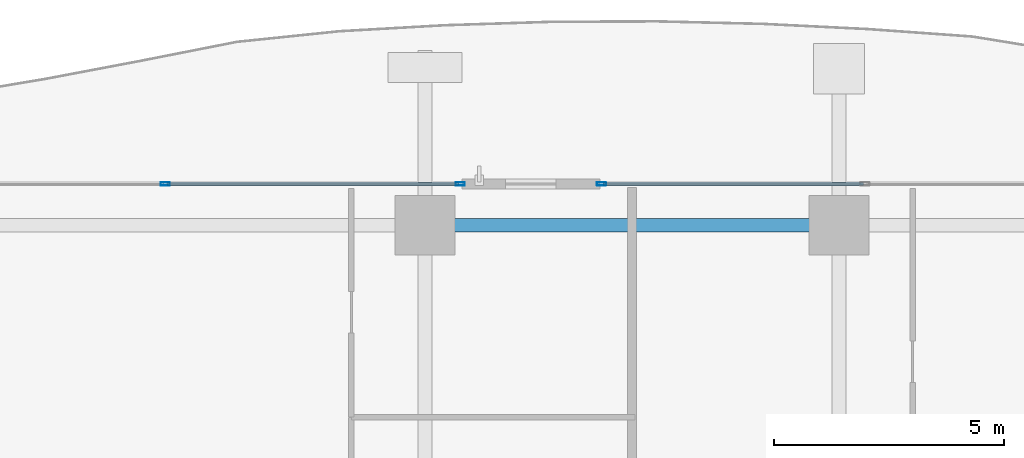
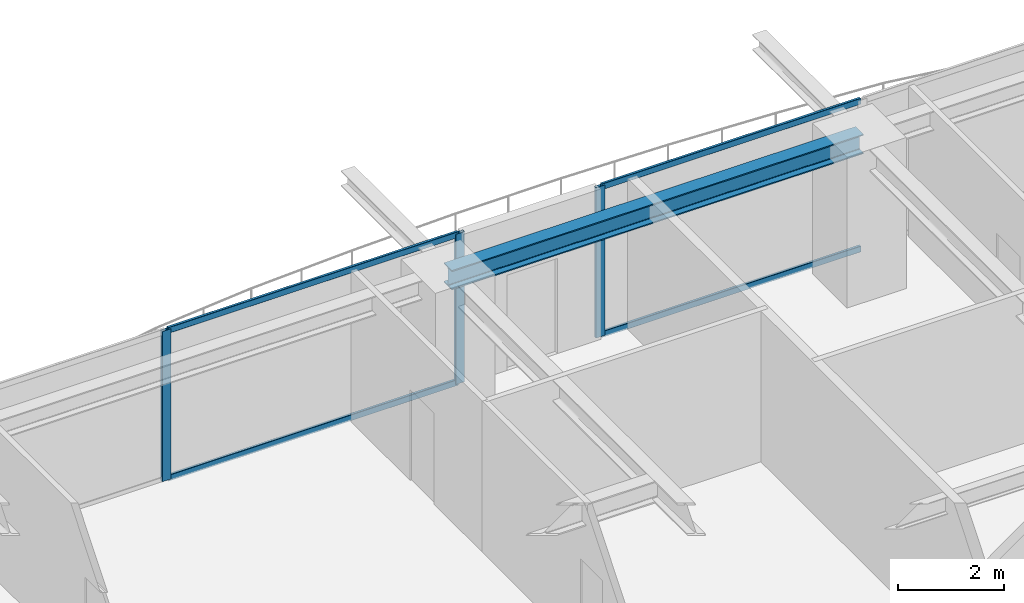
# One storey, part 20 of 39: 7 members, 1 beam, 2 elements without a shape of their own.
"""IFC4 building model written with IfcOpenShell, lengths in metres."""

from ifc_helpers import new_model, si_unit, direction, frame, origin, origin_2d, place, context, subcontext, project, spatial, hollow_rectangle, i_section, extrude, source, transform, mapped, material, layer, layer_set, material_profile, profile_set, type_object, element, aggregate, save


model = new_model("IFC4")

# Units and contexts
model_context = context("Model", 3, precision=1e-05, world=origin(), true_north=direction((0.0, 1.0)))
body_context = subcontext(model_context, "Body", "Model", "MODEL_VIEW")
ifc_project = project(units=[si_unit("LENGTHUNIT", "METRE"), si_unit("AREAUNIT", "SQUARE_METRE"), si_unit("VOLUMEUNIT", "CUBIC_METRE"), si_unit("PLANEANGLEUNIT", "RADIAN"), si_unit("MASSUNIT", "GRAM", prefix="KILO")], contexts=[model_context])

# Site, building, storey
site_placement = place(None, origin())
site = spatial("IfcSite", under=ifc_project, at=site_placement, CompositionType="ELEMENT")
building_placement = place(site_placement, origin())
building = spatial("IfcBuilding", under=site, at=building_placement, Name="Serunith Strait Residences", CompositionType="ELEMENT")
storey_placement = place(building_placement, frame((0.0, 0.0, 123.89990234375)))
storey = spatial("IfcBuildingStorey", under=building, at=storey_placement, Name="L30", CompositionType="ELEMENT", Elevation=123.89990234375)

# Beam
ifc_material_1 = material(Name="Steel S355J2", Category="steel")
ifc_material_profile_1 = material_profile(ifc_material_1, i_section(OverallWidth=0.300048828125, OverallDepth=0.449951171875, WebThickness=0.013916015625, FlangeThickness=0.02587890625, FilletRadius=0.027099609375, at=origin_2d()), Name="HEB 450")
ifc_profile_set_1 = profile_set([ifc_material_profile_1], Name="Steel S355J2")
beam_type = type_object("IfcBeamType", Name="BM-HEB450", PredefinedType="BEAM", material=ifc_profile_set_1)
shared_shape_1 = source(origin(), body_context, "Body", "SweptSolid", [
    extrude(i_section(OverallWidth=0.300048828125, OverallDepth=0.449951171875, WebThickness=0.013916015625, FlangeThickness=0.02587890625, FilletRadius=0.027099609375, at=origin_2d()), origin(), (0.0, 0.0, 1.0), 9.0),
])
beam_placement = place(storey_placement, frame((36.89990234375, 48.10009765625, 3.26220703125), z_axis=(-1.0, 0.0, 0.0), x_axis=(0.0, -1.0, 0.0)))
element("IfcBeam", 1, at=beam_placement, inside=storey, type_object=beam_type, Name="L30 Perimeter Ring Beam 10", PredefinedType="BEAM", context=body_context, shape_type="MappedRepresentation", body=[
    mapped(shared_shape_1, transform((0.0, 0.0, 0.0), scale=1.0)),
])

# Curtain wall, member
ifc_material_2 = material(Name="Pale-Champagne Anodised Aluminium", Category="aluminium")
ifc_layer = layer(ifc_material_2, 0.199951171875, Name="Pale-Champagne Anodised Aluminium")
ifc_layer_set = layer_set([ifc_layer], Name="Pale-Champagne Anodised Aluminium")
curtain_wall_type = type_object("IfcCurtainWallType", Name="CW-SYS2", PredefinedType="NOTDEFINED", material=ifc_layer_set)
curtain_wall_1_placement = place(storey_placement, origin())
curtain_wall_1 = element("IfcCurtainWall", 2, at=curtain_wall_1_placement, inside=storey, type_object=curtain_wall_type, Name="L30 N Unitised Fritted Curtain Wall", PredefinedType="NOTDEFINED")
ifc_material_profile_2 = material_profile(ifc_material_2, hollow_rectangle(XDim=0.070068359375, YDim=0.199951171875, WallThickness=0.00390625, InnerFilletRadius=0.006103515625, OuterFilletRadius=0.010009765625, at=origin_2d()), Name="ALU 200x70x4")
ifc_profile_set_2 = profile_set([ifc_material_profile_2], Name="Pale-Champagne Anodised Aluminium")
member_type_1 = type_object("IfcMemberType", Name="CW-SYS2-MULL", PredefinedType="MULLION", material=ifc_profile_set_2)
shared_shape_2 = source(origin(), body_context, "Body", "SweptSolid", [
    extrude(hollow_rectangle(XDim=0.070068359375, YDim=0.199951171875, WallThickness=0.00390625, InnerFilletRadius=0.006103515625, OuterFilletRadius=0.010009765625, at=origin_2d()), origin(), (0.0, 0.0, 1.0), 3.47509765625),
])
member_1_placement = place(storey_placement, frame((31.735107421875, 49.0, 0.0), z_axis=(0.0, 0.0, 1.0), x_axis=(0.0, -1.0, 0.0)))
member_1 = element("IfcMember", 3, at=member_1_placement, type_object=member_type_1, Name="CW-2 mullion 4", PredefinedType="MULLION", context=body_context, shape_type="MappedRepresentation", body=[
    mapped(shared_shape_2, transform((0.0, 0.0, 0.0), scale=1.0)),
])

# Curtain wall, members
curtain_wall_2_placement = place(storey_placement, origin())
curtain_wall_2 = element("IfcCurtainWall", 4, at=curtain_wall_2_placement, inside=storey, type_object=curtain_wall_type, Name="L30 N Unitised Fritted Curtain Wall", PredefinedType="NOTDEFINED")
member_2_placement = place(storey_placement, frame((28.6650390625, 49.0, 0.0), z_axis=(0.0, 0.0, 1.0), x_axis=(0.0, -1.0, 0.0)))
member_2 = element("IfcMember", 5, at=member_2_placement, type_object=member_type_1, Name="CW-2 mullion 1", PredefinedType="MULLION", context=body_context, shape_type="MappedRepresentation", body=[
    mapped(shared_shape_2, transform((0.0, 0.0, 0.0), scale=1.0)),
])
member_3_placement = place(storey_placement, frame((22.25, 49.0, 0.0), z_axis=(0.0, 0.0, 1.0), x_axis=(0.0, -1.0, 0.0)))
member_3 = element("IfcMember", 6, at=member_3_placement, type_object=member_type_1, Name="CW-2 mullion 2", PredefinedType="MULLION", context=body_context, shape_type="MappedRepresentation", body=[
    mapped(shared_shape_2, transform((0.0, 0.0, 0.0), scale=1.0)),
])

# Member
ifc_material_profile_3 = material_profile(ifc_material_2, hollow_rectangle(XDim=0.06005859375, YDim=0.139892578125, WallThickness=0.00341796875, InnerFilletRadius=0.00537109375, OuterFilletRadius=0.0087890625, at=origin_2d()), Name="ALU 140x60x3.5")
ifc_profile_set_3 = profile_set([ifc_material_profile_3], Name="Pale-Champagne Anodised Aluminium")
member_type_2 = type_object("IfcMemberType", Name="CW-SYS2-TRAN", PredefinedType="USERDEFINED", material=ifc_profile_set_3)
shared_shape_3 = source(origin(), body_context, "Body", "SweptSolid", [
    extrude(hollow_rectangle(XDim=0.06005859375, YDim=0.139892578125, WallThickness=0.00341796875, InnerFilletRadius=0.00537109375, OuterFilletRadius=0.0087890625, at=origin_2d()), origin(), (0.0, 0.0, 1.0), 5.66162109375),
])
member_4_placement = place(storey_placement, frame((37.431640625, 49.0, 0.030029296875), z_axis=(-1.0, 0.0, 0.0), x_axis=(0.0, -1.0, 0.0)))
member_4 = element("IfcMember", 7, at=member_4_placement, type_object=member_type_2, Name="CW-2 transom 3.1", ObjectType="TRANSOM", PredefinedType="USERDEFINED", context=body_context, shape_type="MappedRepresentation", body=[
    mapped(shared_shape_3, transform((0.0, 0.0, 0.0), scale=1.0)),
])

member_5_placement = place(storey_placement, frame((37.431640625, 49.0, 3.445068359375), z_axis=(-1.0, 0.0, 0.0), x_axis=(0.0, -1.0, 0.0)))
member_5 = element("IfcMember", 8, at=member_5_placement, type_object=member_type_2, Name="CW-2 transom 3.2", ObjectType="TRANSOM", PredefinedType="USERDEFINED", context=body_context, shape_type="MappedRepresentation", body=[
    mapped(shared_shape_3, transform((0.0, 0.0, 0.0), scale=1.0)),
])

aggregate(curtain_wall_1, [member_1, member_4, member_5])

shared_shape_4 = source(origin(), body_context, "Body", "SweptSolid", [
    extrude(hollow_rectangle(XDim=0.06005859375, YDim=0.139892578125, WallThickness=0.00341796875, InnerFilletRadius=0.00537109375, OuterFilletRadius=0.0087890625, at=origin_2d()), origin(), (0.0, 0.0, 1.0), 6.344970703125),
])
member_6_placement = place(storey_placement, frame((28.6298828125, 49.0, 0.030029296875), z_axis=(-1.0, 0.0, 0.0), x_axis=(0.0, -1.0, 0.0)))
member_6 = element("IfcMember", 9, at=member_6_placement, type_object=member_type_2, Name="CW-2 transom 1.1", ObjectType="TRANSOM", PredefinedType="USERDEFINED", context=body_context, shape_type="MappedRepresentation", body=[
    mapped(shared_shape_4, transform((0.0, 0.0, 0.0), scale=1.0)),
])

member_7_placement = place(storey_placement, frame((28.6298828125, 49.0, 3.445068359375), z_axis=(-1.0, 0.0, 0.0), x_axis=(0.0, -1.0, 0.0)))
member_7 = element("IfcMember", 10, at=member_7_placement, type_object=member_type_2, Name="CW-2 transom 1.2", ObjectType="TRANSOM", PredefinedType="USERDEFINED", context=body_context, shape_type="MappedRepresentation", body=[
    mapped(shared_shape_4, transform((0.0, 0.0, 0.0), scale=1.0)),
])

aggregate(curtain_wall_2, [member_2, member_3, member_6, member_7])

save(model, "model.ifc")
